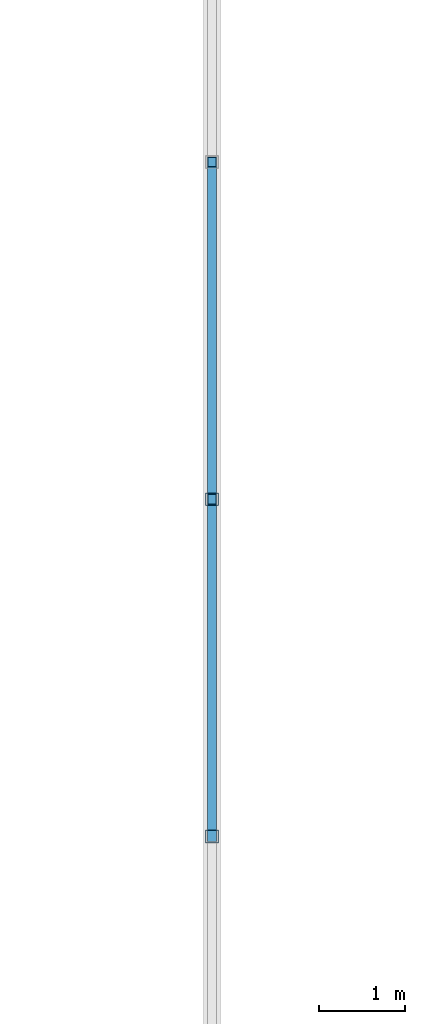
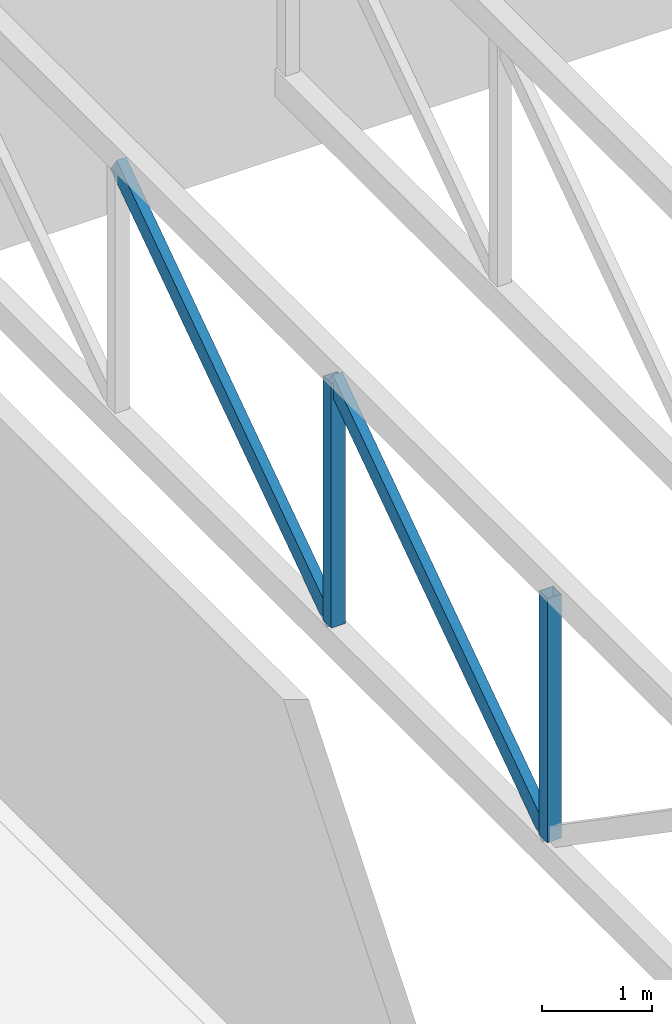
# One storey, part 9 of 33: 4 members.
"""IFC4 building model written with IfcOpenShell, lengths in metres."""

from ifc_helpers import new_model, si_unit, direction, frame, origin, origin_2d, place, context, subcontext, project, spatial, hollow_rectangle, extrude, material, material_profile, profile_set, type_object, element, save


model = new_model("IFC4")

# Units and contexts
model_context = context("Model", 3, precision=1e-05, world=origin(), true_north=direction((0.0, 1.0)))
body_context = subcontext(model_context, "Body", "Model", "MODEL_VIEW")
ifc_project = project(units=[si_unit("LENGTHUNIT", "METRE"), si_unit("AREAUNIT", "SQUARE_METRE"), si_unit("VOLUMEUNIT", "CUBIC_METRE"), si_unit("PLANEANGLEUNIT", "RADIAN"), si_unit("MASSUNIT", "GRAM", prefix="KILO")], contexts=[model_context])

# Site, building, storey
site_placement = place(None, origin())
site = spatial("IfcSite", under=ifc_project, at=site_placement, CompositionType="ELEMENT")
building_placement = place(site_placement, origin())
building = spatial("IfcBuilding", under=site, at=building_placement, Name="Nakaniwa Court", CompositionType="ELEMENT")
storey_placement = place(building_placement, frame((0.0, 0.0, 19.800048828125)))
storey = spatial("IfcBuildingStorey", under=building, at=storey_placement, Name="L04", CompositionType="ELEMENT", Elevation=19.800048828125)

# Members
ifc_material = material(Name="Steel AS/NZS 1163 Grade C350L0", Category="steel")
ifc_material_profile_1 = material_profile(ifc_material, hollow_rectangle(XDim=0.10009765625, YDim=0.199951171875, WallThickness=0.006103515625, at=origin_2d()), Name="RHS 200x100x6")
ifc_profile_set_1 = profile_set([ifc_material_profile_1], Name="Steel AS/NZS 1163 Grade C350L0")
member_type_1 = type_object("IfcMemberType", Name="Roof truss diagonal RHS 200x100x6", PredefinedType="BRACE", material=ifc_profile_set_1)
for number, where, z_axis, x_axis, name in (
    (1, (197.0, 80.0, 1.0), (0.0, 0.823336002071, 0.567554250882), (-1.0, 0.0, 0.0), "Roof truss S1 diagonal 4"),
    (2, (197.0, 83.916748046875, 1.0), (0.0, 0.82331946975, 0.567578233136), (-1.0, 0.0, 0.0), "Roof truss S1 diagonal 5"),
):
    element("IfcMember", number, at=place(storey_placement, frame(where, z_axis=z_axis, x_axis=x_axis)), inside=storey, type_object=member_type_1, Name=name, PredefinedType="BRACE", context=body_context, shape_type="SweptSolid", body=[
        extrude(hollow_rectangle(XDim=0.10009765625, YDim=0.199951171875, WallThickness=0.006103515625, at=origin_2d()), origin(), (0.0, 0.0, 1.0), 4.757080078125),
    ])
ifc_material_profile_2 = material_profile(ifc_material, hollow_rectangle(XDim=0.14990234375, YDim=0.14990234375, WallThickness=0.006103515625, at=origin_2d()), Name="SHS 150x150x6")
ifc_profile_set_2 = profile_set([ifc_material_profile_2], Name="Steel AS/NZS 1163 Grade C350L0")
member_type_2 = type_object("IfcMemberType", Name="Roof truss post SHS 150x150x6", PredefinedType="STRUT", material=ifc_profile_set_2)
for number, where, z_axis, x_axis, name in (
    (3, (197.0, 80.0, 1.0), (0.0, 0.0, 1.0), (1.0, 0.0, 0.0), "Roof truss S1 post 4"),
    (4, (197.0, 83.916748046875, 1.0), (0.0, 0.0, 1.0), (1.0, 0.0, 0.0), "Roof truss S1 post 5"),
):
    element("IfcMember", number, at=place(storey_placement, frame(where, z_axis=z_axis, x_axis=x_axis)), inside=storey, type_object=member_type_2, Name=name, PredefinedType="STRUT", context=body_context, shape_type="SweptSolid", body=[
        extrude(hollow_rectangle(XDim=0.14990234375, YDim=0.14990234375, WallThickness=0.006103515625, at=origin_2d()), origin(), (0.0, 0.0, 1.0), 2.699951171875),
    ])

save(model, "model.ifc")
